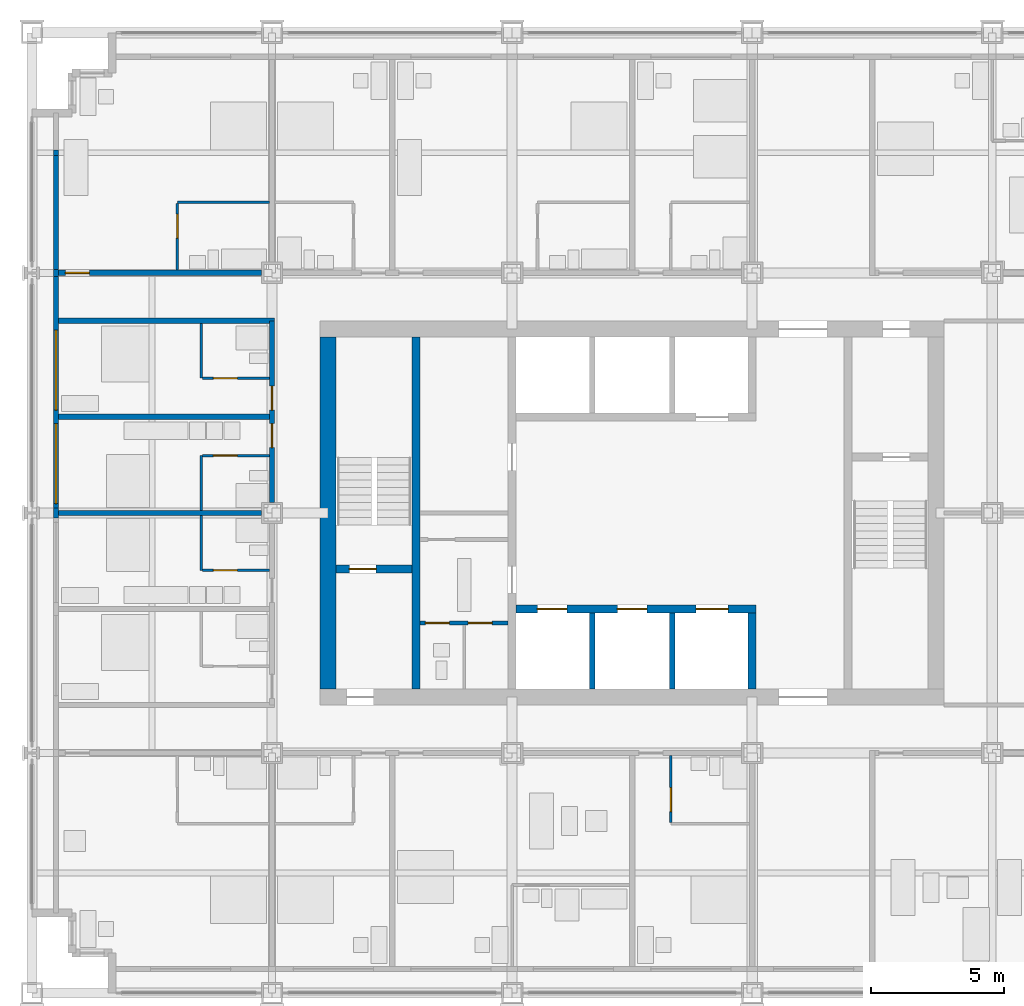
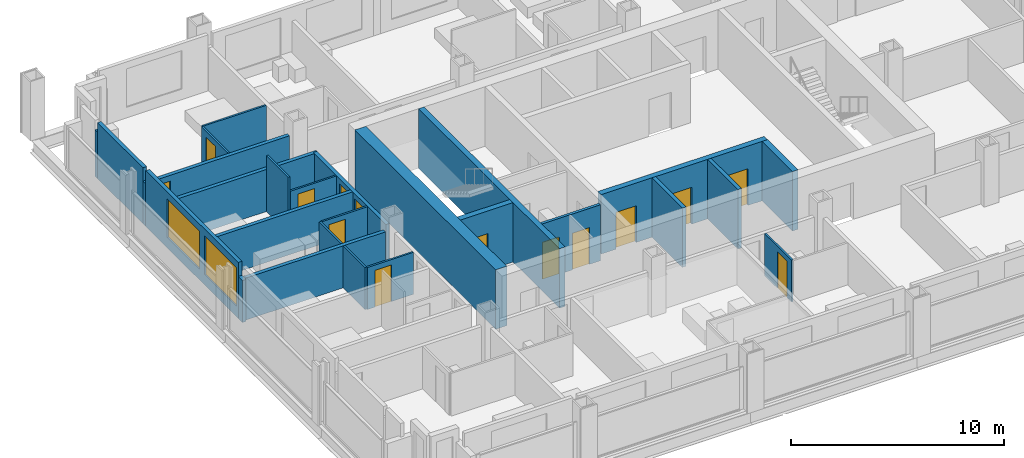
# One storey, part 11 of 18: 27 walls, 14 doors, 2 windows, 16 openings.
"""IFC4 building model written with IfcOpenShell, lengths in metres."""

from ifc_helpers import new_model, si_unit, direction, frame, frame_2d, origin, place, context, subcontext, project, spatial, rectangle, extrude, material, layer, layer_set, type_object, element, fill, save


model = new_model("IFC4")

# Units and contexts
model_context = context("Model", 3, precision=1e-05, world=origin(), true_north=direction((0.0, 1.0)))
body_context = subcontext(model_context, "Body", "Model", "MODEL_VIEW")
ifc_project = project(units=[si_unit("LENGTHUNIT", "METRE"), si_unit("AREAUNIT", "SQUARE_METRE"), si_unit("VOLUMEUNIT", "CUBIC_METRE"), si_unit("PLANEANGLEUNIT", "RADIAN"), si_unit("MASSUNIT", "GRAM", prefix="KILO")], contexts=[model_context])

# Site, building, storey
site_placement = place(None, origin())
site = spatial("IfcSite", under=ifc_project, at=site_placement, CompositionType="ELEMENT")
building_placement = place(site_placement, origin())
building = spatial("IfcBuilding", under=site, at=building_placement, Name="Loomwork Tower", CompositionType="ELEMENT")
storey_placement = place(building_placement, frame((0.0, 0.0, 58.60009765625)))
storey = spatial("IfcBuildingStorey", under=building, at=storey_placement, Name="L14", CompositionType="ELEMENT", Elevation=58.60009765625)

# Wall
ifc_material_1 = material(Name="Concrete 14000 psi (97 MPa)", Category="concrete")
ifc_layer_1 = layer(ifc_material_1, 0.300048828125)
ifc_layer_set_1 = layer_set([ifc_layer_1], Name="Core shear wall 300")
wall_type_1 = type_object("IfcWallType", Name="Core shear wall 300", PredefinedType="SHEAR", material=ifc_layer_set_1)
wall_1_placement = place(storey_placement, frame((14.39990234375, 11.39990234375, 0.0), z_axis=(0.0, 0.0, 1.0), x_axis=(0.0, 1.0, 0.0)))
element("IfcWall", 1, at=wall_1_placement, inside=storey, type_object=wall_type_1, Name="Stair A east wall L14", PredefinedType="SHEAR", context=body_context, shape_type="SweptSolid", body=[
    extrude(rectangle(XDim=13.2001953125, YDim=0.300048828125, at=frame_2d((6.60009765625, 0.0))), origin(), (0.0, 0.0, 1.0), 3.39990234375),
])

# Wall, opening, door
wall_2_placement = place(storey_placement, frame((11.39990234375, 15.89990234375, 0.0), z_axis=(0.0, 0.0, 1.0), x_axis=(1.0, 0.0, 0.0)))
wall_2 = element("IfcWall", 2, at=wall_2_placement, inside=storey, type_object=wall_type_1, Name="Stair A south wall L14", PredefinedType="SHEAR", context=body_context, shape_type="SweptSolid", body=[
    extrude(rectangle(XDim=2.85009765625, YDim=0.300048828125, at=frame_2d((1.425048828125, 0.0))), origin(), (0.0, 0.0, 1.0), 3.39990234375),
])
opening_1_placement = place(wall_2_placement, frame((0.5, 0.0, 0.0)))
opening_1 = element("IfcOpeningElement", 3, at=opening_1_placement, cuts=wall_2, Name="Opening D4", PredefinedType="OPENING", context=body_context, shape_type="SweptSolid", body=[
    extrude(rectangle(XDim=1.0, YDim=2.10009765625, at=frame_2d((0.5, 1.050048828125))), frame((0.0, 0.159912109375, 0.0), z_axis=(0.0, -1.0, 0.0), x_axis=(1.0, 0.0, 0.0)), (0.0, 0.0, 1.0), 0.320068359375),
])
ifc_material_2 = material(Name="Hollow metal door and frame")
door_type_1 = type_object("IfcDoorType", Name="Stair door 1000", OperationType="SINGLE_SWING_RIGHT", PredefinedType="DOOR", material=ifc_material_2)
door_1_placement = place(opening_1_placement, origin())
door_1 = element("IfcDoor", 4, at=door_1_placement, inside=storey, type_object=door_type_1, Name="Stair A door", OperationType="SINGLE_SWING_LEFT", OverallHeight=2.10009765625, OverallWidth=1.0, PredefinedType="DOOR", context=body_context, shape_type="SweptSolid", body=[
    extrude(rectangle(XDim=1.0, YDim=2.10009765625, at=frame_2d((0.5, 1.050048828125))), frame((0.0, 0.02490234375, 0.0), z_axis=(0.0, -1.0, 0.0), x_axis=(1.0, 0.0, 0.0)), (0.0, 0.0, 1.0), 0.050048828125),
])
fill(opening_1, door_1)

# Wall, openings, doors
wall_3_placement = place(storey_placement, frame((18.14990234375, 14.39990234375, 0.0), z_axis=(0.0, 0.0, 1.0), x_axis=(1.0, 0.0, 0.0)))
wall_3 = element("IfcWall", 5, at=wall_3_placement, inside=storey, type_object=wall_type_1, Name="Lift front wall south L14", PredefinedType="SHEAR", context=body_context, shape_type="SweptSolid", body=[
    extrude(rectangle(XDim=9.0, YDim=0.300048828125, at=frame_2d((4.5, 0.0))), origin(), (0.0, 0.0, 1.0), 3.39990234375),
])
opening_2_placement = place(wall_3_placement, frame((0.800048828125, 0.0, 0.0)))
opening_2 = element("IfcOpeningElement", 6, at=opening_2_placement, cuts=wall_3, Name="Opening LD1", PredefinedType="OPENING", context=body_context, shape_type="SweptSolid", body=[
    extrude(rectangle(XDim=1.10009765625, YDim=2.10009765625, at=frame_2d((0.550048828125, 1.050048828125))), frame((0.0, 0.159912109375, 0.0), z_axis=(0.0, -1.0, 0.0), x_axis=(1.0, 0.0, 0.0)), (0.0, 0.0, 1.0), 0.320068359375),
])
opening_3_placement = place(wall_3_placement, frame((3.800048828125, 0.0, 0.0)))
opening_3 = element("IfcOpeningElement", 7, at=opening_3_placement, cuts=wall_3, Name="Opening LD1", PredefinedType="OPENING", context=body_context, shape_type="SweptSolid", body=[
    extrude(rectangle(XDim=1.10009765625, YDim=2.10009765625, at=frame_2d((0.550048828125, 1.050048828125))), frame((0.0, 0.159912109375, 0.0), z_axis=(0.0, -1.0, 0.0), x_axis=(1.0, 0.0, 0.0)), (0.0, 0.0, 1.0), 0.320068359375),
])
opening_4_placement = place(wall_3_placement, frame((6.75, 0.0, 0.0)))
opening_4 = element("IfcOpeningElement", 8, at=opening_4_placement, cuts=wall_3, Name="Opening LD2", PredefinedType="OPENING", context=body_context, shape_type="SweptSolid", body=[
    extrude(rectangle(XDim=1.199951171875, YDim=2.10009765625, at=frame_2d((0.60009765625, 1.050048828125))), frame((0.0, 0.159912109375, 0.0), z_axis=(0.0, -1.0, 0.0), x_axis=(1.0, 0.0, 0.0)), (0.0, 0.0, 1.0), 0.320068359375),
])
ifc_material_3 = material(Name="Hollow metal door and frame")
door_type_2 = type_object("IfcDoorType", Name="Lift landing door 1100", OperationType="SLIDING_TO_LEFT", PredefinedType="DOOR", material=ifc_material_3)
door_2_placement = place(opening_2_placement, origin())
door_2 = element("IfcDoor", 9, at=door_2_placement, inside=storey, type_object=door_type_2, Name="Lift landing door LA1", OperationType="SLIDING_TO_LEFT", OverallHeight=2.10009765625, OverallWidth=1.10009765625, PredefinedType="DOOR", context=body_context, shape_type="SweptSolid", body=[
    extrude(rectangle(XDim=1.10009765625, YDim=2.10009765625, at=frame_2d((0.550048828125, 1.050048828125))), frame((0.0, 0.02490234375, 0.0), z_axis=(0.0, -1.0, 0.0), x_axis=(1.0, 0.0, 0.0)), (0.0, 0.0, 1.0), 0.050048828125),
])
fill(opening_2, door_2)
door_3_placement = place(opening_3_placement, origin())
door_3 = element("IfcDoor", 10, at=door_3_placement, inside=storey, type_object=door_type_2, Name="Lift landing door LA2", OperationType="SLIDING_TO_LEFT", OverallHeight=2.10009765625, OverallWidth=1.10009765625, PredefinedType="DOOR", context=body_context, shape_type="SweptSolid", body=[
    extrude(rectangle(XDim=1.10009765625, YDim=2.10009765625, at=frame_2d((0.550048828125, 1.050048828125))), frame((0.0, 0.02490234375, 0.0), z_axis=(0.0, -1.0, 0.0), x_axis=(1.0, 0.0, 0.0)), (0.0, 0.0, 1.0), 0.050048828125),
])
fill(opening_3, door_3)
ifc_material_4 = material(Name="Hollow metal door and frame")
door_type_3 = type_object("IfcDoorType", Name="Lift landing door 1200", OperationType="SLIDING_TO_LEFT", PredefinedType="DOOR", material=ifc_material_4)
door_4_placement = place(opening_4_placement, origin())
door_4 = element("IfcDoor", 11, at=door_4_placement, inside=storey, type_object=door_type_3, Name="Lift landing door LF1", OperationType="SLIDING_TO_LEFT", OverallHeight=2.10009765625, OverallWidth=1.199951171875, PredefinedType="DOOR", context=body_context, shape_type="SweptSolid", body=[
    extrude(rectangle(XDim=1.199951171875, YDim=2.10009765625, at=frame_2d((0.60009765625, 1.050048828125))), frame((0.0, 0.02490234375, 0.0), z_axis=(0.0, -1.0, 0.0), x_axis=(1.0, 0.0, 0.0)), (0.0, 0.0, 1.0), 0.050048828125),
])
fill(opening_4, door_4)

# Walls
wall_4_placement = place(storey_placement, frame((27.0, 11.39990234375, 0.0), z_axis=(0.0, 0.0, 1.0), x_axis=(0.0, 1.0, 0.0)))
element("IfcWall", 12, at=wall_4_placement, inside=storey, type_object=wall_type_1, Name="Lift shaft end wall south L14", PredefinedType="SHEAR", context=body_context, shape_type="SweptSolid", body=[
    extrude(rectangle(XDim=2.85009765625, YDim=0.300048828125, at=frame_2d((1.425048828125, 0.0))), origin(), (0.0, 0.0, 1.0), 3.39990234375),
])
ifc_material_5 = material(Name="Concrete 14000 psi (97 MPa)", Category="concrete")
ifc_layer_2 = layer(ifc_material_5, 0.60009765625)
ifc_layer_set_2 = layer_set([ifc_layer_2], Name="Core shear wall 600")
wall_type_2 = type_object("IfcWallType", Name="Core shear wall 600", PredefinedType="SHEAR", material=ifc_layer_set_2)
wall_5_placement = place(storey_placement, frame((11.10009765625, 11.39990234375, 0.0), z_axis=(0.0, 0.0, 1.0), x_axis=(0.0, 1.0, 0.0)))
element("IfcWall", 13, at=wall_5_placement, inside=storey, type_object=wall_type_2, Name="Core wall west L14", PredefinedType="SHEAR", context=body_context, shape_type="SweptSolid", body=[
    extrude(rectangle(XDim=13.2001953125, YDim=0.60009765625, at=frame_2d((6.60009765625, 0.0))), origin(), (0.0, 0.0, 1.0), 3.39990234375),
])

# Wall, opening, door
ifc_material_6 = material(Name="Gypsum board on steel studs, one-hour", Category="steel")
ifc_layer_3 = layer(ifc_material_6, 0.199951171875)
ifc_layer_set_3 = layer_set([ifc_layer_3], Name="Corridor wall 200")
wall_type_3 = type_object("IfcWallType", Name="Corridor wall 200", PredefinedType="PARTITIONING", material=ifc_layer_set_3)
wall_6_placement = place(storey_placement, frame((1.0, 27.0, 0.0), z_axis=(0.0, 0.0, 1.0), x_axis=(1.0, 0.0, 0.0)))
wall_6 = element("IfcWall", 14, at=wall_6_placement, inside=storey, type_object=wall_type_3, Name="North corridor wall 1", PredefinedType="PARTITIONING", context=body_context, shape_type="SweptSolid", body=[
    extrude(rectangle(XDim=7.60009765625, YDim=0.199951171875, at=frame_2d((3.800048828125, 0.0))), origin(), (0.0, 0.0, 1.0), 2.43798828125),
])
opening_5_placement = place(wall_6_placement, frame((0.25, 0.0, 0.0)))
opening_5 = element("IfcOpeningElement", 15, at=opening_5_placement, cuts=wall_6, Name="Opening D1", PredefinedType="OPENING", context=body_context, shape_type="SweptSolid", body=[
    extrude(rectangle(XDim=0.89990234375, YDim=2.10009765625, at=frame_2d((0.449951171875, 1.050048828125))), frame((0.0, 0.10986328125, 0.0), z_axis=(0.0, -1.0, 0.0), x_axis=(1.0, 0.0, 0.0)), (0.0, 0.0, 1.0), 0.219970703125),
])
ifc_material_7 = material(Name="Hollow metal door and frame")
door_type_4 = type_object("IfcDoorType", Name="Guest room entry door 900", OperationType="SINGLE_SWING_LEFT", PredefinedType="DOOR", material=ifc_material_7)
door_5_placement = place(opening_5_placement, origin())
door_5 = element("IfcDoor", 16, at=door_5_placement, inside=storey, type_object=door_type_4, Name="Guest room entry door L14 8", OperationType="SINGLE_SWING_LEFT", OverallHeight=2.10009765625, OverallWidth=0.89990234375, PredefinedType="DOOR", context=body_context, shape_type="SweptSolid", body=[
    extrude(rectangle(XDim=0.89990234375, YDim=2.10009765625, at=frame_2d((0.449951171875, 1.050048828125))), frame((0.0, 0.02490234375, 0.0), z_axis=(0.0, -1.0, 0.0), x_axis=(1.0, 0.0, 0.0)), (0.0, 0.0, 1.0), 0.050048828125),
])
fill(opening_5, door_5)

# Wall, openings, doors
wall_7_placement = place(storey_placement, frame((9.0, 18.39990234375, 0.0), z_axis=(0.0, 0.0, 1.0), x_axis=(0.0, 1.0, 0.0)))
wall_7 = element("IfcWall", 17, at=wall_7_placement, inside=storey, type_object=wall_type_3, Name="West corridor wall 2", PredefinedType="PARTITIONING", context=body_context, shape_type="SweptSolid", body=[
    extrude(rectangle(XDim=6.800048828125, YDim=0.199951171875, at=frame_2d((3.39990234375, 0.0))), origin(), (0.0, 0.0, 1.0), 2.40478515625),
])
opening_6_placement = place(wall_7_placement, frame((2.050048828125, 0.0, 0.0)))
opening_6 = element("IfcOpeningElement", 18, at=opening_6_placement, cuts=wall_7, Name="Opening D1", PredefinedType="OPENING", context=body_context, shape_type="SweptSolid", body=[
    extrude(rectangle(XDim=0.89990234375, YDim=2.10009765625, at=frame_2d((0.449951171875, 1.050048828125))), frame((0.0, 0.10986328125, 0.0), z_axis=(0.0, -1.0, 0.0), x_axis=(1.0, 0.0, 0.0)), (0.0, 0.0, 1.0), 0.219970703125),
])
opening_7_placement = place(wall_7_placement, frame((3.449951171875, 0.0, 0.0)))
opening_7 = element("IfcOpeningElement", 19, at=opening_7_placement, cuts=wall_7, Name="Opening D1", PredefinedType="OPENING", context=body_context, shape_type="SweptSolid", body=[
    extrude(rectangle(XDim=0.89990234375, YDim=2.10009765625, at=frame_2d((0.449951171875, 1.050048828125))), frame((0.0, 0.10986328125, 0.0), z_axis=(0.0, -1.0, 0.0), x_axis=(1.0, 0.0, 0.0)), (0.0, 0.0, 1.0), 0.219970703125),
])
door_6_placement = place(opening_6_placement, origin())
door_6 = element("IfcDoor", 20, at=door_6_placement, inside=storey, type_object=door_type_4, Name="Guest room entry door L14 17", OperationType="SINGLE_SWING_RIGHT", OverallHeight=2.10009765625, OverallWidth=0.89990234375, PredefinedType="DOOR", context=body_context, shape_type="SweptSolid", body=[
    extrude(rectangle(XDim=0.89990234375, YDim=2.10009765625, at=frame_2d((0.449951171875, 1.050048828125))), frame((0.0, 0.02490234375, 0.0), z_axis=(0.0, -1.0, 0.0), x_axis=(1.0, 0.0, 0.0)), (0.0, 0.0, 1.0), 0.050048828125),
])
fill(opening_6, door_6)
door_7_placement = place(opening_7_placement, origin())
door_7 = element("IfcDoor", 21, at=door_7_placement, inside=storey, type_object=door_type_4, Name="Guest room entry door L14 18", OperationType="SINGLE_SWING_LEFT", OverallHeight=2.10009765625, OverallWidth=0.89990234375, PredefinedType="DOOR", context=body_context, shape_type="SweptSolid", body=[
    extrude(rectangle(XDim=0.89990234375, YDim=2.10009765625, at=frame_2d((0.449951171875, 1.050048828125))), frame((0.0, 0.02490234375, 0.0), z_axis=(0.0, -1.0, 0.0), x_axis=(1.0, 0.0, 0.0)), (0.0, 0.0, 1.0), 0.050048828125),
])
fill(opening_7, door_7)

# Wall
wall_8_placement = place(storey_placement, frame((1.0, 25.199951171875, 0.0), z_axis=(0.0, 0.0, 1.0), x_axis=(1.0, 0.0, 0.0)))
element("IfcWall", 22, at=wall_8_placement, inside=storey, type_object=wall_type_3, Name="West band end wall N", PredefinedType="PARTITIONING", context=body_context, shape_type="SweptSolid", body=[
    extrude(rectangle(XDim=8.10009765625, YDim=0.199951171875, at=frame_2d((4.050048828125, 0.0))), origin(), (0.0, 0.0, 1.0), 2.40380859375),
])

# Wall, opening, door
ifc_material_8 = material(Name="Cement board on steel studs", Category="steel")
ifc_layer_4 = layer(ifc_material_8, 0.10009765625)
ifc_layer_set_4 = layer_set([ifc_layer_4], Name="En-suite partition 100")
wall_type_4 = type_object("IfcWallType", Name="En-suite partition 100", PredefinedType="PARTITIONING", material=ifc_layer_set_4)
wall_9_placement = place(storey_placement, frame((23.949951171875, 8.89990234375, 0.0), z_axis=(0.0, 0.0, 1.0), x_axis=(0.0, -1.0, 0.0)))
wall_9 = element("IfcWall", 23, at=wall_9_placement, inside=storey, type_object=wall_type_4, Name="En-suite side wall L14 room 4", PredefinedType="PARTITIONING", context=body_context, shape_type="SweptSolid", body=[
    extrude(rectangle(XDim=2.5, YDim=0.10009765625, at=frame_2d((1.25, 0.0))), origin(), (0.0, 0.0, 1.0), 2.40380859375),
])
opening_8_placement = place(wall_9_placement, frame((1.199951171875, 0.0, 0.0)))
opening_8 = element("IfcOpeningElement", 24, at=opening_8_placement, cuts=wall_9, Name="Opening D2", PredefinedType="OPENING", context=body_context, shape_type="SweptSolid", body=[
    extrude(rectangle(XDim=0.89990234375, YDim=2.10009765625, at=frame_2d((0.449951171875, 1.050048828125))), frame((0.0, 0.06005859375, 0.0), z_axis=(0.0, -1.0, 0.0), x_axis=(1.0, 0.0, 0.0)), (0.0, 0.0, 1.0), 0.1201171875),
])
ifc_material_9 = material(Name="Hollow metal door and frame")
door_type_5 = type_object("IfcDoorType", Name="En-suite door 900", OperationType="SINGLE_SWING_LEFT", PredefinedType="DOOR", material=ifc_material_9)
door_8_placement = place(opening_8_placement, origin())
door_8 = element("IfcDoor", 25, at=door_8_placement, inside=storey, type_object=door_type_5, Name="En-suite door room 4", OperationType="SINGLE_SWING_RIGHT", OverallHeight=2.10009765625, OverallWidth=0.89990234375, PredefinedType="DOOR", context=body_context, shape_type="SweptSolid", body=[
    extrude(rectangle(XDim=0.89990234375, YDim=2.10009765625, at=frame_2d((0.449951171875, 1.050048828125))), frame((0.0, 0.02490234375, 0.0), z_axis=(0.0, -1.0, 0.0), x_axis=(1.0, 0.0, 0.0)), (0.0, 0.0, 1.0), 0.050048828125),
])
fill(opening_8, door_8)

# Wall
wall_10_placement = place(storey_placement, frame((5.449951171875, 29.64990234375, 0.0), z_axis=(0.0, 0.0, 1.0), x_axis=(1.0, 0.0, 0.0)))
element("IfcWall", 26, at=wall_10_placement, inside=storey, type_object=wall_type_4, Name="En-suite wall L14 room 8", PredefinedType="PARTITIONING", context=body_context, shape_type="SweptSolid", body=[
    extrude(rectangle(XDim=3.449951171875, YDim=0.10009765625, at=frame_2d((1.72509765625, 0.0))), origin(), (0.0, 0.0, 1.0), 2.43798828125),
])

# Wall, opening, door
wall_11_placement = place(storey_placement, frame((5.449951171875, 27.10009765625, 0.0), z_axis=(0.0, 0.0, 1.0), x_axis=(0.0, 1.0, 0.0)))
wall_11 = element("IfcWall", 27, at=wall_11_placement, inside=storey, type_object=wall_type_4, Name="En-suite side wall L14 room 8", PredefinedType="PARTITIONING", context=body_context, shape_type="SweptSolid", body=[
    extrude(rectangle(XDim=2.5, YDim=0.10009765625, at=frame_2d((1.25, 0.0))), origin(), (0.0, 0.0, 1.0), 2.43798828125),
])
opening_9_placement = place(wall_11_placement, frame((1.199951171875, 0.0, 0.0)))
opening_9 = element("IfcOpeningElement", 28, at=opening_9_placement, cuts=wall_11, Name="Opening D2", PredefinedType="OPENING", context=body_context, shape_type="SweptSolid", body=[
    extrude(rectangle(XDim=0.89990234375, YDim=2.10009765625, at=frame_2d((0.449951171875, 1.050048828125))), frame((0.0, 0.06005859375, 0.0), z_axis=(0.0, -1.0, 0.0), x_axis=(1.0, 0.0, 0.0)), (0.0, 0.0, 1.0), 0.1201171875),
])
door_9_placement = place(opening_9_placement, frame((0.89990234375, 0.0, 0.0), z_axis=(0.0, 0.0, 1.0), x_axis=(-1.0, 0.0, 0.0)))
door_9 = element("IfcDoor", 29, at=door_9_placement, inside=storey, type_object=door_type_5, Name="En-suite door room 8", OperationType="SINGLE_SWING_LEFT", OverallHeight=2.10009765625, OverallWidth=0.89990234375, PredefinedType="DOOR", context=body_context, shape_type="SweptSolid", body=[
    extrude(rectangle(XDim=0.89990234375, YDim=2.10009765625, at=frame_2d((0.449951171875, 1.050048828125))), frame((0.0, 0.02490234375, 0.0), z_axis=(0.0, -1.0, 0.0), x_axis=(1.0, 0.0, 0.0)), (0.0, 0.0, 1.0), 0.050048828125),
])
fill(opening_9, door_9)

# Wall
wall_12_placement = place(storey_placement, frame((6.35009765625, 15.85009765625, 0.0), z_axis=(0.0, 0.0, 1.0), x_axis=(0.0, 1.0, 0.0)))
element("IfcWall", 30, at=wall_12_placement, inside=storey, type_object=wall_type_4, Name="En-suite wall L14 room 16", PredefinedType="PARTITIONING", context=body_context, shape_type="SweptSolid", body=[
    extrude(rectangle(XDim=2.0498046875, YDim=0.10009765625, at=frame_2d((1.02490234375, 0.0))), origin(), (0.0, 0.0, 1.0), 2.40380859375),
])

# Wall, opening, door
wall_13_placement = place(storey_placement, frame((8.89990234375, 15.85009765625, 0.0), z_axis=(0.0, 0.0, 1.0), x_axis=(-1.0, 0.0, 0.0)))
wall_13 = element("IfcWall", 31, at=wall_13_placement, inside=storey, type_object=wall_type_4, Name="En-suite side wall L14 room 16", PredefinedType="PARTITIONING", context=body_context, shape_type="SweptSolid", body=[
    extrude(rectangle(XDim=2.5, YDim=0.10009765625, at=frame_2d((1.25, 0.0))), origin(), (0.0, 0.0, 1.0), 2.40380859375),
])
opening_10_placement = place(wall_13_placement, frame((1.199951171875, 0.0, 0.0)))
opening_10 = element("IfcOpeningElement", 32, at=opening_10_placement, cuts=wall_13, Name="Opening D2", PredefinedType="OPENING", context=body_context, shape_type="SweptSolid", body=[
    extrude(rectangle(XDim=0.89990234375, YDim=2.10009765625, at=frame_2d((0.449951171875, 1.050048828125))), frame((0.0, 0.06005859375, 0.0), z_axis=(0.0, -1.0, 0.0), x_axis=(1.0, 0.0, 0.0)), (0.0, 0.0, 1.0), 0.1201171875),
])
door_10_placement = place(opening_10_placement, frame((0.89990234375, 0.0, 0.0), z_axis=(0.0, 0.0, 1.0), x_axis=(-1.0, 0.0, 0.0)))
door_10 = element("IfcDoor", 33, at=door_10_placement, inside=storey, type_object=door_type_5, Name="En-suite door room 16", OperationType="SINGLE_SWING_LEFT", OverallHeight=2.10009765625, OverallWidth=0.89990234375, PredefinedType="DOOR", context=body_context, shape_type="SweptSolid", body=[
    extrude(rectangle(XDim=0.89990234375, YDim=2.10009765625, at=frame_2d((0.449951171875, 1.050048828125))), frame((0.0, 0.02490234375, 0.0), z_axis=(0.0, -1.0, 0.0), x_axis=(1.0, 0.0, 0.0)), (0.0, 0.0, 1.0), 0.050048828125),
])
fill(opening_10, door_10)

# Wall
wall_14_placement = place(storey_placement, frame((6.35009765625, 18.10009765625, 0.0), z_axis=(0.0, 0.0, 1.0), x_axis=(0.0, 1.0, 0.0)))
element("IfcWall", 34, at=wall_14_placement, inside=storey, type_object=wall_type_4, Name="En-suite wall L14 room 17", PredefinedType="PARTITIONING", context=body_context, shape_type="SweptSolid", body=[
    extrude(rectangle(XDim=2.0498046875, YDim=0.10009765625, at=frame_2d((1.02490234375, 0.0))), origin(), (0.0, 0.0, 1.0), 2.40380859375),
])

# Wall, opening, door
wall_15_placement = place(storey_placement, frame((8.89990234375, 20.14990234375, 0.0), z_axis=(0.0, 0.0, 1.0), x_axis=(-1.0, 0.0, 0.0)))
wall_15 = element("IfcWall", 35, at=wall_15_placement, inside=storey, type_object=wall_type_4, Name="En-suite side wall L14 room 17", PredefinedType="PARTITIONING", context=body_context, shape_type="SweptSolid", body=[
    extrude(rectangle(XDim=2.5, YDim=0.10009765625, at=frame_2d((1.25, 0.0))), origin(), (0.0, 0.0, 1.0), 2.40380859375),
])
opening_11_placement = place(wall_15_placement, frame((1.199951171875, 0.0, 0.0)))
opening_11 = element("IfcOpeningElement", 36, at=opening_11_placement, cuts=wall_15, Name="Opening D2", PredefinedType="OPENING", context=body_context, shape_type="SweptSolid", body=[
    extrude(rectangle(XDim=0.89990234375, YDim=2.10009765625, at=frame_2d((0.449951171875, 1.050048828125))), frame((0.0, 0.06005859375, 0.0), z_axis=(0.0, -1.0, 0.0), x_axis=(1.0, 0.0, 0.0)), (0.0, 0.0, 1.0), 0.1201171875),
])
door_11_placement = place(opening_11_placement, origin())
door_11 = element("IfcDoor", 37, at=door_11_placement, inside=storey, type_object=door_type_5, Name="En-suite door room 17", OperationType="SINGLE_SWING_RIGHT", OverallHeight=2.10009765625, OverallWidth=0.89990234375, PredefinedType="DOOR", context=body_context, shape_type="SweptSolid", body=[
    extrude(rectangle(XDim=0.89990234375, YDim=2.10009765625, at=frame_2d((0.449951171875, 1.050048828125))), frame((0.0, 0.02490234375, 0.0), z_axis=(0.0, -1.0, 0.0), x_axis=(1.0, 0.0, 0.0)), (0.0, 0.0, 1.0), 0.050048828125),
])
fill(opening_11, door_11)

# Wall
wall_16_placement = place(storey_placement, frame((6.35009765625, 23.050048828125, 0.0), z_axis=(0.0, 0.0, 1.0), x_axis=(0.0, 1.0, 0.0)))
element("IfcWall", 38, at=wall_16_placement, inside=storey, type_object=wall_type_4, Name="En-suite wall L14 room 18", PredefinedType="PARTITIONING", context=body_context, shape_type="SweptSolid", body=[
    extrude(rectangle(XDim=2.050048828125, YDim=0.10009765625, at=frame_2d((1.02490234375, 0.0))), origin(), (0.0, 0.0, 1.0), 3.199951171875),
])

# Wall, opening, door
wall_17_placement = place(storey_placement, frame((8.89990234375, 23.050048828125, 0.0), z_axis=(0.0, 0.0, 1.0), x_axis=(-1.0, 0.0, 0.0)))
wall_17 = element("IfcWall", 39, at=wall_17_placement, inside=storey, type_object=wall_type_4, Name="En-suite side wall L14 room 18", PredefinedType="PARTITIONING", context=body_context, shape_type="SweptSolid", body=[
    extrude(rectangle(XDim=2.5, YDim=0.10009765625, at=frame_2d((1.25, 0.0))), origin(), (0.0, 0.0, 1.0), 2.40380859375),
])
opening_12_placement = place(wall_17_placement, frame((1.199951171875, 0.0, 0.0)))
opening_12 = element("IfcOpeningElement", 40, at=opening_12_placement, cuts=wall_17, Name="Opening D2", PredefinedType="OPENING", context=body_context, shape_type="SweptSolid", body=[
    extrude(rectangle(XDim=0.89990234375, YDim=2.10009765625, at=frame_2d((0.449951171875, 1.050048828125))), frame((0.0, 0.06005859375, 0.0), z_axis=(0.0, -1.0, 0.0), x_axis=(1.0, 0.0, 0.0)), (0.0, 0.0, 1.0), 0.1201171875),
])
door_12_placement = place(opening_12_placement, frame((0.89990234375, 0.0, 0.0), z_axis=(0.0, 0.0, 1.0), x_axis=(-1.0, 0.0, 0.0)))
door_12 = element("IfcDoor", 41, at=door_12_placement, inside=storey, type_object=door_type_5, Name="En-suite door room 18", OperationType="SINGLE_SWING_LEFT", OverallHeight=2.10009765625, OverallWidth=0.89990234375, PredefinedType="DOOR", context=body_context, shape_type="SweptSolid", body=[
    extrude(rectangle(XDim=0.89990234375, YDim=2.10009765625, at=frame_2d((0.449951171875, 1.050048828125))), frame((0.0, 0.02490234375, 0.0), z_axis=(0.0, -1.0, 0.0), x_axis=(1.0, 0.0, 0.0)), (0.0, 0.0, 1.0), 0.050048828125),
])
fill(opening_12, door_12)

# Walls
ifc_material_10 = material(Name="Gypsum board on steel studs, acoustic", Category="steel")
ifc_layer_5 = layer(ifc_material_10, 0.199951171875)
ifc_layer_set_5 = layer_set([ifc_layer_5], Name="Guest room party wall 200")
wall_type_5 = type_object("IfcWallType", Name="Guest room party wall 200", PredefinedType="PARTITIONING", material=ifc_layer_set_5)
wall_18_placement = place(storey_placement, frame((8.60009765625, 18.0, 0.0), z_axis=(0.0, 0.0, 1.0), x_axis=(-1.0, 0.0, 0.0)))
element("IfcWall", 42, at=wall_18_placement, inside=storey, type_object=wall_type_5, Name="Guest room party wall W 18", PredefinedType="PARTITIONING", context=body_context, shape_type="SweptSolid", body=[
    extrude(rectangle(XDim=7.60009765625, YDim=0.199951171875, at=frame_2d((3.800048828125, 0.0))), origin(), (0.0, 0.0, 1.0), 2.40478515625),
])
wall_19_placement = place(storey_placement, frame((8.89990234375, 21.60009765625, 0.0), z_axis=(0.0, 0.0, 1.0), x_axis=(-1.0, 0.0, 0.0)))
element("IfcWall", 43, at=wall_19_placement, inside=storey, type_object=wall_type_5, Name="Guest room party wall W 21.6", PredefinedType="PARTITIONING", context=body_context, shape_type="SweptSolid", body=[
    extrude(rectangle(XDim=7.89990234375, YDim=0.199951171875, at=frame_2d((3.949951171875, 0.0))), origin(), (0.0, 0.0, 1.0), 2.40380859375),
])
ifc_material_11 = material(Name="Insulated steel stud wall with gypsum lining", Category="steel")
ifc_layer_6 = layer(ifc_material_11, 0.199951171875)
ifc_layer_set_6 = layer_set([ifc_layer_6], Name="Inner skin wall 200")
wall_type_6 = type_object("IfcWallType", Name="Inner skin wall 200", PredefinedType="SOLIDWALL", material=ifc_layer_set_6)
wall_20_placement = place(storey_placement, frame((0.89990234375, 17.80615234375, 0.0), z_axis=(0.0, 0.0, 1.0), x_axis=(0.0, 1.0, 0.0)))
element("IfcWall", 44, at=wall_20_placement, inside=storey, type_object=wall_type_6, Name="Inner skin wall W bay 6", PredefinedType="SOLIDWALL", context=body_context, shape_type="SweptSolid", body=[
    extrude(rectangle(XDim=0.3876953125, YDim=0.199951171875, at=frame_2d((0.19384765625, 0.0))), origin(), (0.0, 0.0, 1.0), 2.40380859375),
])

# Wall, openings, windows
wall_21_placement = place(storey_placement, frame((0.89990234375, 18.19384765625, 0.0), z_axis=(0.0, 0.0, 1.0), x_axis=(0.0, 1.0, 0.0)))
wall_21 = element("IfcWall", 45, at=wall_21_placement, inside=storey, type_object=wall_type_6, Name="Inner skin wall W bay 7", PredefinedType="SOLIDWALL", context=body_context, shape_type="SweptSolid", body=[
    extrude(rectangle(XDim=8.6708984375, YDim=0.199951171875, at=frame_2d((4.33544921875, 0.0))), origin(), (0.0, 0.0, 1.0), 3.199951171875),
])
opening_13_placement = place(wall_21_placement, frame((0.15625, 0.0, 0.60009765625)))
opening_13 = element("IfcOpeningElement", 46, at=opening_13_placement, cuts=wall_21, Name="Opening CH1", PredefinedType="OPENING", context=body_context, shape_type="SweptSolid", body=[
    extrude(rectangle(XDim=3.0, YDim=2.199951171875, at=frame_2d((1.5, 1.10009765625))), frame((0.0, 0.10986328125, 0.0), z_axis=(0.0, -1.0, 0.0), x_axis=(1.0, 0.0, 0.0)), (0.0, 0.0, 1.0), 0.219970703125),
])
opening_14_placement = place(wall_21_placement, frame((3.65625, 0.0, 0.60009765625)))
opening_14 = element("IfcOpeningElement", 47, at=opening_14_placement, cuts=wall_21, Name="Opening CH1", PredefinedType="OPENING", context=body_context, shape_type="SweptSolid", body=[
    extrude(rectangle(XDim=3.0, YDim=2.199951171875, at=frame_2d((1.5, 1.10009765625))), frame((0.0, 0.10986328125, 0.0), z_axis=(0.0, -1.0, 0.0), x_axis=(1.0, 0.0, 0.0)), (0.0, 0.0, 1.0), 0.219970703125),
])
ifc_material_12 = material(Name="Aluminium frame with clear insulated glass", Category="aluminium")
window_type = type_object("IfcWindowType", Name="Chicago window 3000", PartitioningType="TRIPLE_PANEL_VERTICAL", PredefinedType="WINDOW", material=ifc_material_12)
window_1_placement = place(opening_13_placement, origin())
window_1 = element("IfcWindow", 48, at=window_1_placement, inside=storey, type_object=window_type, Name="Chicago window L14 bay 14", OverallHeight=2.199951171875, OverallWidth=3.0, PartitioningType="TRIPLE_PANEL_VERTICAL", PredefinedType="WINDOW", context=body_context, shape_type="SweptSolid", body=[
    extrude(rectangle(XDim=3.0, YDim=2.199951171875, at=frame_2d((1.5, 1.10009765625))), frame((0.0, 0.030029296875, 0.0), z_axis=(0.0, -1.0, 0.0), x_axis=(1.0, 0.0, 0.0)), (0.0, 0.0, 1.0), 0.06005859375),
])
fill(opening_13, window_1)
window_2_placement = place(opening_14_placement, origin())
window_2 = element("IfcWindow", 49, at=window_2_placement, inside=storey, type_object=window_type, Name="Chicago window L14 bay 14", OverallHeight=2.199951171875, OverallWidth=3.0, PartitioningType="TRIPLE_PANEL_VERTICAL", PredefinedType="WINDOW", context=body_context, shape_type="SweptSolid", body=[
    extrude(rectangle(XDim=3.0, YDim=2.199951171875, at=frame_2d((1.5, 1.10009765625))), frame((0.0, 0.030029296875, 0.0), z_axis=(0.0, -1.0, 0.0), x_axis=(1.0, 0.0, 0.0)), (0.0, 0.0, 1.0), 0.06005859375),
])
fill(opening_14, window_2)

# Walls
wall_22_placement = place(storey_placement, frame((0.89990234375, 26.86474609375, 0.0), z_axis=(0.0, 0.0, 1.0), x_axis=(0.0, 1.0, 0.0)))
element("IfcWall", 50, at=wall_22_placement, inside=storey, type_object=wall_type_6, Name="Inner skin wall W bay 8", PredefinedType="SOLIDWALL", context=body_context, shape_type="SweptSolid", body=[
    extrude(rectangle(XDim=0.2705078125, YDim=0.199951171875, at=frame_2d((0.13525390625, 0.0))), origin(), (0.0, 0.0, 1.0), 2.43798828125),
])
wall_23_placement = place(storey_placement, frame((0.89990234375, 27.13525390625, 0.0), z_axis=(0.0, 0.0, 1.0), x_axis=(0.0, 1.0, 0.0)))
element("IfcWall", 51, at=wall_23_placement, inside=storey, type_object=wall_type_6, Name="Inner skin wall W bay 9", PredefinedType="SOLIDWALL", context=body_context, shape_type="SweptSolid", body=[
    extrude(rectangle(XDim=4.25732421875, YDim=0.199951171875, at=frame_2d((2.128662109375, 0.0))), origin(), (0.0, 0.0, 1.0), 3.199951171875),
])
wall_24_placement = place(storey_placement, frame((0.89990234375, 31.392578125, 0.0), z_axis=(0.0, 0.0, 1.0), x_axis=(0.0, 1.0, 0.0)))
element("IfcWall", 52, at=wall_24_placement, inside=storey, type_object=wall_type_6, Name="Inner skin wall W bay 10", PredefinedType="SOLIDWALL", context=body_context, shape_type="SweptSolid", body=[
    extrude(rectangle(XDim=0.21484375, YDim=0.199951171875, at=frame_2d((0.107421875, 0.0))), origin(), (0.0, 0.0, 1.0), 2.660888671875),
])
ifc_material_13 = material(Name="Concrete 14000 psi (97 MPa)", Category="concrete")
ifc_layer_7 = layer(ifc_material_13, 0.199951171875)
ifc_layer_set_7 = layer_set([ifc_layer_7], Name="Lift shaft wall 200")
wall_type_7 = type_object("IfcWallType", Name="Lift shaft wall 200", PredefinedType="SHEAR", material=ifc_layer_set_7)
for number, where, z_axis, x_axis, name in (
    (53, (21.0, 11.39990234375, 0.0), (0.0, 0.0, 1.0), (0.0, 1.0, 0.0), "Lift shaft separation wall south 1 L14"),
    (54, (24.0, 11.39990234375, 0.0), (0.0, 0.0, 1.0), (0.0, 1.0, 0.0), "Lift shaft separation wall south 2 L14"),
):
    element("IfcWall", number, at=place(storey_placement, frame(where, z_axis=z_axis, x_axis=x_axis)), inside=storey, type_object=wall_type_7, Name=name, PredefinedType="SHEAR", context=body_context, shape_type="SweptSolid", body=[
        extrude(rectangle(XDim=2.85009765625, YDim=0.199951171875, at=frame_2d((1.425048828125, 0.0))), origin(), (0.0, 0.0, 1.0), 3.39990234375),
    ])

# Wall, openings, doors
ifc_material_14 = material(Name="Gypsum board on steel studs, one-hour", Category="steel")
ifc_layer_8 = layer(ifc_material_14, 0.14990234375)
ifc_layer_set_8 = layer_set([ifc_layer_8], Name="Service partition 150")
wall_type_8 = type_object("IfcWallType", Name="Service partition 150", PredefinedType="PARTITIONING", material=ifc_layer_set_8)
wall_25_placement = place(storey_placement, frame((14.550048828125, 13.875, 0.0), z_axis=(0.0, 0.0, 1.0), x_axis=(1.0, 0.0, 0.0)))
wall_25 = element("IfcWall", 55, at=wall_25_placement, inside=storey, type_object=wall_type_8, Name="Back-of-house partition L14", PredefinedType="PARTITIONING", context=body_context, shape_type="SweptSolid", body=[
    extrude(rectangle(XDim=3.300048828125, YDim=0.14990234375, at=frame_2d((1.64990234375, 0.0))), origin(), (0.0, 0.0, 1.0), 3.199951171875),
])
opening_15_placement = place(wall_25_placement, frame((0.199951171875, 0.0, 0.0)))
opening_15 = element("IfcOpeningElement", 56, at=opening_15_placement, cuts=wall_25, Name="Opening D20", PredefinedType="OPENING", context=body_context, shape_type="SweptSolid", body=[
    extrude(rectangle(XDim=0.89990234375, YDim=2.10009765625, at=frame_2d((0.449951171875, 1.050048828125))), frame((0.0, 0.0849609375, 0.0), z_axis=(0.0, -1.0, 0.0), x_axis=(1.0, 0.0, 0.0)), (0.0, 0.0, 1.0), 0.169921875),
])
opening_16_placement = place(wall_25_placement, frame((1.800048828125, 0.0, 0.0)))
opening_16 = element("IfcOpeningElement", 57, at=opening_16_placement, cuts=wall_25, Name="Opening D20", PredefinedType="OPENING", context=body_context, shape_type="SweptSolid", body=[
    extrude(rectangle(XDim=0.89990234375, YDim=2.10009765625, at=frame_2d((0.449951171875, 1.050048828125))), frame((0.0, 0.0849609375, 0.0), z_axis=(0.0, -1.0, 0.0), x_axis=(1.0, 0.0, 0.0)), (0.0, 0.0, 1.0), 0.169921875),
])
ifc_material_15 = material(Name="Hollow metal door and frame")
door_type_6 = type_object("IfcDoorType", Name="Back-of-house door 900", OperationType="SINGLE_SWING_LEFT", PredefinedType="DOOR", material=ifc_material_15)
door_13_placement = place(opening_15_placement, frame((0.89990234375, 0.0, 0.0), z_axis=(0.0, 0.0, 1.0), x_axis=(-1.0, 0.0, 0.0)))
door_13 = element("IfcDoor", 58, at=door_13_placement, inside=storey, type_object=door_type_6, Name="Back-of-house room door", OperationType="SINGLE_SWING_RIGHT", OverallHeight=2.10009765625, OverallWidth=0.89990234375, PredefinedType="DOOR", context=body_context, shape_type="SweptSolid", body=[
    extrude(rectangle(XDim=0.89990234375, YDim=2.10009765625, at=frame_2d((0.449951171875, 1.050048828125))), frame((0.0, 0.02490234375, 0.0), z_axis=(0.0, -1.0, 0.0), x_axis=(1.0, 0.0, 0.0)), (0.0, 0.0, 1.0), 0.050048828125),
])
fill(opening_15, door_13)
door_14_placement = place(opening_16_placement, frame((0.89990234375, 0.0, 0.0), z_axis=(0.0, 0.0, 1.0), x_axis=(-1.0, 0.0, 0.0)))
door_14 = element("IfcDoor", 59, at=door_14_placement, inside=storey, type_object=door_type_6, Name="Back-of-house room door", OperationType="SINGLE_SWING_RIGHT", OverallHeight=2.10009765625, OverallWidth=0.89990234375, PredefinedType="DOOR", context=body_context, shape_type="SweptSolid", body=[
    extrude(rectangle(XDim=0.89990234375, YDim=2.10009765625, at=frame_2d((0.449951171875, 1.050048828125))), frame((0.0, 0.02490234375, 0.0), z_axis=(0.0, -1.0, 0.0), x_axis=(1.0, 0.0, 0.0)), (0.0, 0.0, 1.0), 0.050048828125),
])
fill(opening_16, door_14)

save(model, "model.ifc")
